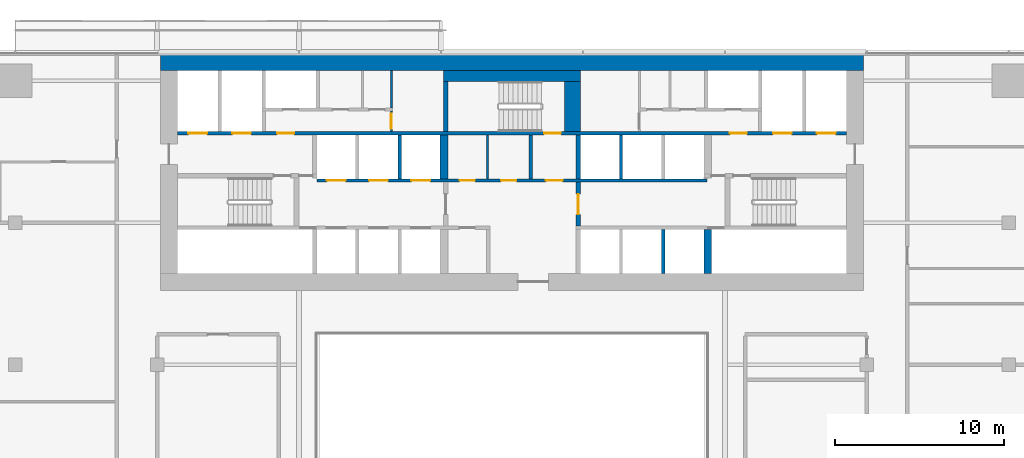
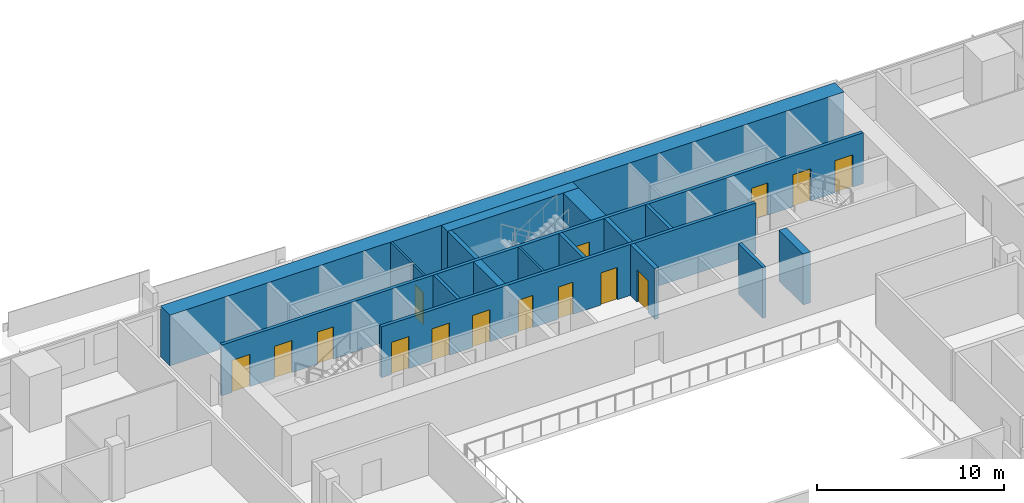
# One storey, part 21 of 27: 17 walls, 15 doors, 15 openings.
"""IFC4 building model written with IfcOpenShell, lengths in metres."""

from ifc_helpers import new_model, si_unit, direction, frame, frame_2d, origin, place, context, subcontext, project, spatial, rectangle, extrude, material, layer, layer_set, type_object, element, fill, save


model = new_model("IFC4")

# Units and contexts
model_context = context("Model", 3, precision=1e-05, world=origin(), true_north=direction((0.0, 1.0)))
body_context = subcontext(model_context, "Body", "Model", "MODEL_VIEW")
ifc_project = project(units=[si_unit("LENGTHUNIT", "METRE"), si_unit("AREAUNIT", "SQUARE_METRE"), si_unit("VOLUMEUNIT", "CUBIC_METRE"), si_unit("PLANEANGLEUNIT", "RADIAN"), si_unit("MASSUNIT", "GRAM", prefix="KILO")], contexts=[model_context])

# Site, building, storey
site_placement = place(None, origin())
site = spatial("IfcSite", under=ifc_project, at=site_placement, CompositionType="ELEMENT")
building_placement = place(site_placement, origin())
building = spatial("IfcBuilding", under=site, at=building_placement, Name="Saffron Gate Tower", CompositionType="ELEMENT")
storey_placement = place(building_placement, frame((0.0, 0.0, 124.050048828125)))
storey = spatial("IfcBuildingStorey", under=building, at=storey_placement, Name="L29", CompositionType="ELEMENT", Elevation=124.050048828125)

# Walls
ifc_material_1 = material(Name="Gypsum board partition on steel studs", Category="steel")
ifc_layer_1 = layer(ifc_material_1, 0.199951171875)
ifc_layer_set_1 = layer_set([ifc_layer_1], Name="CW10 Core partition 200")
wall_type_1 = type_object("IfcWallType", Name="CW10 Core partition 200", PredefinedType="PARTITIONING", material=ifc_layer_set_1)
wall_1_placement = place(storey_placement, frame((88.699951171875, 68.0, 0.0), z_axis=(0.0, 0.0, 1.0), x_axis=(0.0, 1.0, 0.0)))
element("IfcWall", 1, at=wall_1_placement, inside=storey, type_object=wall_type_1, Name="Wall CW10-L29-25", PredefinedType="PARTITIONING", context=body_context, shape_type="SweptSolid", body=[
    extrude(rectangle(XDim=2.60009765625, YDim=0.199951171875, at=frame_2d((1.300048828125, 0.0))), origin(), (0.0, 0.0, 1.0), 3.320068359375),
])
ifc_material_2 = material(Name="Concrete C70", Category="concrete")
ifc_layer_2 = layer(ifc_material_2, 1.0)
ifc_layer_set_2 = layer_set([ifc_layer_2], Name="CW12 RC core wall 1000 C70")
wall_type_2 = type_object("IfcWallType", Name="CW12 RC core wall 1000 C70", PredefinedType="SOLIDWALL", material=ifc_layer_set_2)
wall_2_placement = place(storey_placement, frame((66.800048828125, 74.89990234375, 0.0), z_axis=(0.0, 0.0, 1.0), x_axis=(1.0, 0.0, 0.0)))
element("IfcWall", 2, at=wall_2_placement, inside=storey, type_object=wall_type_2, Name="Wall CW12-L29-2", PredefinedType="SOLIDWALL", context=body_context, shape_type="SweptSolid", body=[
    extrude(rectangle(XDim=41.599853515625, YDim=1.0, at=frame_2d((20.7998046875, 0.0))), origin(), (0.0, 0.0, 1.0), 3.320068359375),
])

# Wall, opening, door
ifc_layer_3 = layer(ifc_material_2, 0.25)
ifc_layer_set_3 = layer_set([ifc_layer_3], Name="CW2 RC core wall 250 C70")
wall_type_3 = type_object("IfcWallType", Name="CW2 RC core wall 250 C70", PredefinedType="SOLIDWALL", material=ifc_layer_set_3)
wall_3_placement = place(storey_placement, frame((91.52490234375, 65.199951171875, 0.0), z_axis=(0.0, 0.0, 1.0), x_axis=(0.0, 1.0, 0.0)))
wall_3 = element("IfcWall", 3, at=wall_3_placement, inside=storey, type_object=wall_type_3, Name="Wall CW2-L29-18", PredefinedType="SOLIDWALL", context=body_context, shape_type="SweptSolid", body=[
    extrude(rectangle(XDim=2.60009765625, YDim=0.25, at=frame_2d((1.300048828125, 0.0))), origin(), (0.0, 0.0, 1.0), 3.320068359375),
])
opening_1_placement = place(wall_3_placement, frame((0.699951171875, 0.0, 0.0)))
opening_1 = element("IfcOpeningElement", 4, at=opening_1_placement, cuts=wall_3, Name="Opening CR-01", PredefinedType="OPENING", context=body_context, shape_type="SweptSolid", body=[
    extrude(rectangle(XDim=1.199951171875, YDim=2.10009765625, at=frame_2d((0.60009765625, 1.050048828125))), frame((0.0, 0.135009765625, 0.0), z_axis=(0.0, -1.0, 0.0), x_axis=(1.0, 0.0, 0.0)), (0.0, 0.0, 1.0), 0.27001953125),
])
ifc_material_3 = material(Name="Steel fire door set", Category="steel")
door_type_1 = type_object("IfcDoorType", Name="CD3 Lobby door 1200x2100 EI 120", OperationType="NOTDEFINED", PredefinedType="DOOR", material=ifc_material_3)
door_1_placement = place(opening_1_placement, origin())
door_1 = element("IfcDoor", 5, at=door_1_placement, inside=storey, type_object=door_type_1, Name="DOOR CR-01", OperationType="SINGLE_SWING_RIGHT", OverallHeight=2.10009765625, OverallWidth=1.199951171875, PredefinedType="DOOR", context=body_context, shape_type="SweptSolid", body=[
    extrude(rectangle(XDim=1.199951171875, YDim=2.10009765625, at=frame_2d((0.60009765625, 1.050048828125))), frame((0.0, 0.02490234375, 0.0), z_axis=(0.0, -1.0, 0.0), x_axis=(1.0, 0.0, 0.0)), (0.0, 0.0, 1.0), 0.050048828125),
])
fill(opening_1, door_1)

# Walls
wall_4_placement = place(storey_placement, frame((91.52490234375, 68.0, 0.0), z_axis=(0.0, 0.0, 1.0), x_axis=(0.0, 1.0, 0.0)))
element("IfcWall", 6, at=wall_4_placement, inside=storey, type_object=wall_type_3, Name="Wall CW2-L29-26", PredefinedType="SOLIDWALL", context=body_context, shape_type="SweptSolid", body=[
    extrude(rectangle(XDim=2.60009765625, YDim=0.25, at=frame_2d((1.300048828125, 0.0))), origin(), (0.0, 0.0, 1.0), 3.320068359375),
])
wall_5_placement = place(storey_placement, frame((83.675048828125, 70.800048828125, 0.0), z_axis=(0.0, 0.0, 1.0), x_axis=(0.0, 1.0, 0.0)))
element("IfcWall", 7, at=wall_5_placement, inside=storey, type_object=wall_type_3, Name="Wall CW2-L29-38", PredefinedType="SOLIDWALL", context=body_context, shape_type="SweptSolid", body=[
    extrude(rectangle(XDim=2.949951171875, YDim=0.25, at=frame_2d((1.47509765625, 0.0))), origin(), (0.0, 0.0, 1.0), 3.320068359375),
])
ifc_layer_4 = layer(ifc_material_2, 0.199951171875)
ifc_layer_set_4 = layer_set([ifc_layer_4], Name="CW3 RC core wall 200 C70")
wall_type_4 = type_object("IfcWallType", Name="CW3 RC core wall 200 C70", PredefinedType="SOLIDWALL", material=ifc_layer_set_4)
wall_6_placement = place(storey_placement, frame((96.550048828125, 62.39990234375, 0.0), z_axis=(0.0, 0.0, 1.0), x_axis=(0.0, 1.0, 0.0)))
element("IfcWall", 8, at=wall_6_placement, inside=storey, type_object=wall_type_4, Name="Wall CW3-L29-12", PredefinedType="SOLIDWALL", context=body_context, shape_type="SweptSolid", body=[
    extrude(rectangle(XDim=2.60009765625, YDim=0.199951171875, at=frame_2d((1.300048828125, 0.0))), origin(), (0.0, 0.0, 1.0), 3.320068359375),
])

# Wall, openings, doors
wall_7_placement = place(storey_placement, frame((76.050048828125, 67.89990234375, 0.0), z_axis=(0.0, 0.0, 1.0), x_axis=(1.0, 0.0, 0.0)))
wall_7 = element("IfcWall", 9, at=wall_7_placement, inside=storey, type_object=wall_type_4, Name="Wall CW3-L29-20", PredefinedType="SOLIDWALL", context=body_context, shape_type="SweptSolid", body=[
    extrude(rectangle(XDim=23.099853515625, YDim=0.199951171875, at=frame_2d((11.5498046875, 0.0))), origin(), (0.0, 0.0, 1.0), 3.320068359375),
])
opening_2_placement = place(wall_7_placement, frame((0.60009765625, 0.0, 0.0)))
opening_2 = element("IfcOpeningElement", 10, at=opening_2_placement, cuts=wall_7, Name="Opening LD-LR4", PredefinedType="OPENING", context=body_context, shape_type="SweptSolid", body=[
    extrude(rectangle(XDim=1.10009765625, YDim=2.10009765625, at=frame_2d((0.550048828125, 1.050048828125))), frame((0.0, 0.10986328125, 0.0), z_axis=(0.0, -1.0, 0.0), x_axis=(1.0, 0.0, 0.0)), (0.0, 0.0, 1.0), 0.219970703125),
])
opening_3_placement = place(wall_7_placement, frame((3.10009765625, 0.0, 0.0)))
opening_3 = element("IfcOpeningElement", 11, at=opening_3_placement, cuts=wall_7, Name="Opening LD-LR5", PredefinedType="OPENING", context=body_context, shape_type="SweptSolid", body=[
    extrude(rectangle(XDim=1.10009765625, YDim=2.10009765625, at=frame_2d((0.550048828125, 1.050048828125))), frame((0.0, 0.10986328125, 0.0), z_axis=(0.0, -1.0, 0.0), x_axis=(1.0, 0.0, 0.0)), (0.0, 0.0, 1.0), 0.219970703125),
])
opening_4_placement = place(wall_7_placement, frame((5.60009765625, 0.0, 0.0)))
opening_4 = element("IfcOpeningElement", 12, at=opening_4_placement, cuts=wall_7, Name="Opening LD-LR6", PredefinedType="OPENING", context=body_context, shape_type="SweptSolid", body=[
    extrude(rectangle(XDim=1.10009765625, YDim=2.10009765625, at=frame_2d((0.550048828125, 1.050048828125))), frame((0.0, 0.10986328125, 0.0), z_axis=(0.0, -1.0, 0.0), x_axis=(1.0, 0.0, 0.0)), (0.0, 0.0, 1.0), 0.219970703125),
])
opening_5_placement = place(wall_7_placement, frame((8.449951171875, 0.0, 0.0)))
opening_5 = element("IfcOpeningElement", 13, at=opening_5_placement, cuts=wall_7, Name="Opening CR-67", PredefinedType="OPENING", context=body_context, shape_type="SweptSolid", body=[
    extrude(rectangle(XDim=0.89990234375, YDim=2.10009765625, at=frame_2d((0.449951171875, 1.050048828125))), frame((0.0, 0.10986328125, 0.0), z_axis=(0.0, -1.0, 0.0), x_axis=(1.0, 0.0, 0.0)), (0.0, 0.0, 1.0), 0.219970703125),
])
opening_6_placement = place(wall_7_placement, frame((10.909912109375, 0.0, 0.0)))
opening_6 = element("IfcOpeningElement", 14, at=opening_6_placement, cuts=wall_7, Name="Opening CR-68", PredefinedType="OPENING", context=body_context, shape_type="SweptSolid", body=[
    extrude(rectangle(XDim=0.89990234375, YDim=2.10009765625, at=frame_2d((0.449951171875, 1.050048828125))), frame((0.0, 0.10986328125, 0.0), z_axis=(0.0, -1.0, 0.0), x_axis=(1.0, 0.0, 0.0)), (0.0, 0.0, 1.0), 0.219970703125),
])
opening_7_placement = place(wall_7_placement, frame((13.550048828125, 0.0, 0.0)))
opening_7 = element("IfcOpeningElement", 15, at=opening_7_placement, cuts=wall_7, Name="Opening CR-02", PredefinedType="OPENING", context=body_context, shape_type="SweptSolid", body=[
    extrude(rectangle(XDim=1.0, YDim=2.10009765625, at=frame_2d((0.5, 1.050048828125))), frame((0.0, 0.10986328125, 0.0), z_axis=(0.0, -1.0, 0.0), x_axis=(1.0, 0.0, 0.0)), (0.0, 0.0, 1.0), 0.219970703125),
])
door_type_2 = type_object("IfcDoorType", Name="CD4 Lobby door 1000x2100 EI 120", OperationType="NOTDEFINED", PredefinedType="DOOR", material=ifc_material_3)
door_2_placement = place(opening_7_placement, origin())
door_2 = element("IfcDoor", 16, at=door_2_placement, inside=storey, type_object=door_type_2, Name="DOOR CR-02", OperationType="SINGLE_SWING_LEFT", OverallHeight=2.10009765625, OverallWidth=1.0, PredefinedType="DOOR", context=body_context, shape_type="SweptSolid", body=[
    extrude(rectangle(XDim=1.0, YDim=2.10009765625, at=frame_2d((0.5, 1.050048828125))), frame((0.0, 0.02490234375, 0.0), z_axis=(0.0, -1.0, 0.0), x_axis=(1.0, 0.0, 0.0)), (0.0, 0.0, 1.0), 0.050048828125),
])
fill(opening_7, door_2)
door_type_3 = type_object("IfcDoorType", Name="CD9 Room door 900x2100 EI 60", OperationType="NOTDEFINED", PredefinedType="DOOR", material=ifc_material_3)
door_3_placement = place(opening_5_placement, origin())
door_3 = element("IfcDoor", 17, at=door_3_placement, inside=storey, type_object=door_type_3, Name="DOOR CR-67", OperationType="SINGLE_SWING_LEFT", OverallHeight=2.10009765625, OverallWidth=0.89990234375, PredefinedType="DOOR", context=body_context, shape_type="SweptSolid", body=[
    extrude(rectangle(XDim=0.89990234375, YDim=2.10009765625, at=frame_2d((0.449951171875, 1.050048828125))), frame((0.0, 0.02490234375, 0.0), z_axis=(0.0, -1.0, 0.0), x_axis=(1.0, 0.0, 0.0)), (0.0, 0.0, 1.0), 0.050048828125),
])
fill(opening_5, door_3)
door_4_placement = place(opening_6_placement, origin())
door_4 = element("IfcDoor", 18, at=door_4_placement, inside=storey, type_object=door_type_3, Name="DOOR CR-68", OperationType="SINGLE_SWING_LEFT", OverallHeight=2.10009765625, OverallWidth=0.89990234375, PredefinedType="DOOR", context=body_context, shape_type="SweptSolid", body=[
    extrude(rectangle(XDim=0.89990234375, YDim=2.10009765625, at=frame_2d((0.449951171875, 1.050048828125))), frame((0.0, 0.02490234375, 0.0), z_axis=(0.0, -1.0, 0.0), x_axis=(1.0, 0.0, 0.0)), (0.0, 0.0, 1.0), 0.050048828125),
])
fill(opening_6, door_4)
ifc_material_4 = material(Name="Stainless steel landing door", Category="steel")
door_type_4 = type_object("IfcDoorType", Name="LD Lift landing door 1100x2100 EI 120", OperationType="SLIDING_TO_LEFT", PredefinedType="DOOR", material=ifc_material_4)
door_5_placement = place(opening_2_placement, origin())
door_5 = element("IfcDoor", 19, at=door_5_placement, inside=storey, type_object=door_type_4, Name="LANDING DOOR LD-LR4", OperationType="SLIDING_TO_RIGHT", OverallHeight=2.10009765625, OverallWidth=1.10009765625, PredefinedType="DOOR", context=body_context, shape_type="SweptSolid", body=[
    extrude(rectangle(XDim=1.10009765625, YDim=2.10009765625, at=frame_2d((0.550048828125, 1.050048828125))), frame((0.0, 0.02490234375, 0.0), z_axis=(0.0, -1.0, 0.0), x_axis=(1.0, 0.0, 0.0)), (0.0, 0.0, 1.0), 0.050048828125),
])
fill(opening_2, door_5)
door_6_placement = place(opening_3_placement, origin())
door_6 = element("IfcDoor", 20, at=door_6_placement, inside=storey, type_object=door_type_4, Name="LANDING DOOR LD-LR5", OperationType="SLIDING_TO_RIGHT", OverallHeight=2.10009765625, OverallWidth=1.10009765625, PredefinedType="DOOR", context=body_context, shape_type="SweptSolid", body=[
    extrude(rectangle(XDim=1.10009765625, YDim=2.10009765625, at=frame_2d((0.550048828125, 1.050048828125))), frame((0.0, 0.02490234375, 0.0), z_axis=(0.0, -1.0, 0.0), x_axis=(1.0, 0.0, 0.0)), (0.0, 0.0, 1.0), 0.050048828125),
])
fill(opening_3, door_6)
door_7_placement = place(opening_4_placement, origin())
door_7 = element("IfcDoor", 21, at=door_7_placement, inside=storey, type_object=door_type_4, Name="LANDING DOOR LD-LR6", OperationType="SLIDING_TO_RIGHT", OverallHeight=2.10009765625, OverallWidth=1.10009765625, PredefinedType="DOOR", context=body_context, shape_type="SweptSolid", body=[
    extrude(rectangle(XDim=1.10009765625, YDim=2.10009765625, at=frame_2d((0.550048828125, 1.050048828125))), frame((0.0, 0.02490234375, 0.0), z_axis=(0.0, -1.0, 0.0), x_axis=(1.0, 0.0, 0.0)), (0.0, 0.0, 1.0), 0.050048828125),
])
fill(opening_4, door_7)

# Walls
for number, where, z_axis, x_axis, name in (
    (22, (80.949951171875, 68.0, 0.0), (0.0, 0.0, 1.0), (0.0, 1.0, 0.0), "Wall CW3-L29-22"),
    (23, (94.050048828125, 68.0, 0.0), (0.0, 0.0, 1.0), (0.0, 1.0, 0.0), "Wall CW3-L29-27"),
):
    element("IfcWall", number, at=place(storey_placement, frame(where, z_axis=z_axis, x_axis=x_axis)), inside=storey, type_object=wall_type_4, Name=name, PredefinedType="SOLIDWALL", context=body_context, shape_type="SweptSolid", body=[
        extrude(rectangle(XDim=2.60009765625, YDim=0.199951171875, at=frame_2d((1.300048828125, 0.0))), origin(), (0.0, 0.0, 1.0), 3.320068359375),
    ])

# Wall, openings, doors
wall_8_placement = place(storey_placement, frame((67.800048828125, 70.699951171875, 0.0), z_axis=(0.0, 0.0, 1.0), x_axis=(1.0, 0.0, 0.0)))
wall_8 = element("IfcWall", 24, at=wall_8_placement, inside=storey, type_object=wall_type_4, Name="Wall CW3-L29-34", PredefinedType="SOLIDWALL", context=body_context, shape_type="SweptSolid", body=[
    extrude(rectangle(XDim=39.599853515625, YDim=0.199951171875, at=frame_2d((19.7998046875, 0.0))), origin(), (0.0, 0.0, 1.0), 3.320068359375),
])
opening_8_placement = place(wall_8_placement, frame((0.64990234375, 0.0, 0.0)))
opening_8 = element("IfcOpeningElement", 25, at=opening_8_placement, cuts=wall_8, Name="Opening LD-FF1", PredefinedType="OPENING", context=body_context, shape_type="SweptSolid", body=[
    extrude(rectangle(XDim=1.10009765625, YDim=2.10009765625, at=frame_2d((0.550048828125, 1.050048828125))), frame((0.0, 0.10986328125, 0.0), z_axis=(0.0, -1.0, 0.0), x_axis=(1.0, 0.0, 0.0)), (0.0, 0.0, 1.0), 0.219970703125),
])
opening_9_placement = place(wall_8_placement, frame((3.25, 0.0, 0.0)))
opening_9 = element("IfcOpeningElement", 26, at=opening_9_placement, cuts=wall_8, Name="Opening LD-SV1", PredefinedType="OPENING", context=body_context, shape_type="SweptSolid", body=[
    extrude(rectangle(XDim=1.10009765625, YDim=2.10009765625, at=frame_2d((0.550048828125, 1.050048828125))), frame((0.0, 0.10986328125, 0.0), z_axis=(0.0, -1.0, 0.0), x_axis=(1.0, 0.0, 0.0)), (0.0, 0.0, 1.0), 0.219970703125),
])
opening_10_placement = place(wall_8_placement, frame((5.89990234375, 0.0, 0.0)))
opening_10 = element("IfcOpeningElement", 27, at=opening_10_placement, cuts=wall_8, Name="Opening CR-03", PredefinedType="OPENING", context=body_context, shape_type="SweptSolid", body=[
    extrude(rectangle(XDim=1.0, YDim=2.10009765625, at=frame_2d((0.5, 1.050048828125))), frame((0.0, 0.10986328125, 0.0), z_axis=(0.0, -1.0, 0.0), x_axis=(1.0, 0.0, 0.0)), (0.0, 0.0, 1.0), 0.219970703125),
])
opening_11_placement = place(wall_8_placement, frame((21.699951171875, 0.0, 0.0)))
opening_11 = element("IfcOpeningElement", 28, at=opening_11_placement, cuts=wall_8, Name="Opening CR-17", PredefinedType="OPENING", context=body_context, shape_type="SweptSolid", body=[
    extrude(rectangle(XDim=1.0, YDim=2.10009765625, at=frame_2d((0.5, 1.050048828125))), frame((0.0, 0.10986328125, 0.0), z_axis=(0.0, -1.0, 0.0), x_axis=(1.0, 0.0, 0.0)), (0.0, 0.0, 1.0), 0.219970703125),
])
opening_12_placement = place(wall_8_placement, frame((32.699951171875, 0.0, 0.0)))
opening_12 = element("IfcOpeningElement", 29, at=opening_12_placement, cuts=wall_8, Name="Opening CR-04", PredefinedType="OPENING", context=body_context, shape_type="SweptSolid", body=[
    extrude(rectangle(XDim=1.0, YDim=2.10009765625, at=frame_2d((0.5, 1.050048828125))), frame((0.0, 0.10986328125, 0.0), z_axis=(0.0, -1.0, 0.0), x_axis=(1.0, 0.0, 0.0)), (0.0, 0.0, 1.0), 0.219970703125),
])
opening_13_placement = place(wall_8_placement, frame((35.25, 0.0, 0.0)))
opening_13 = element("IfcOpeningElement", 30, at=opening_13_placement, cuts=wall_8, Name="Opening LD-SV2", PredefinedType="OPENING", context=body_context, shape_type="SweptSolid", body=[
    extrude(rectangle(XDim=1.10009765625, YDim=2.10009765625, at=frame_2d((0.550048828125, 1.050048828125))), frame((0.0, 0.10986328125, 0.0), z_axis=(0.0, -1.0, 0.0), x_axis=(1.0, 0.0, 0.0)), (0.0, 0.0, 1.0), 0.219970703125),
])
opening_14_placement = place(wall_8_placement, frame((37.85009765625, 0.0, 0.0)))
opening_14 = element("IfcOpeningElement", 31, at=opening_14_placement, cuts=wall_8, Name="Opening LD-FF2", PredefinedType="OPENING", context=body_context, shape_type="SweptSolid", body=[
    extrude(rectangle(XDim=1.10009765625, YDim=2.10009765625, at=frame_2d((0.550048828125, 1.050048828125))), frame((0.0, 0.10986328125, 0.0), z_axis=(0.0, -1.0, 0.0), x_axis=(1.0, 0.0, 0.0)), (0.0, 0.0, 1.0), 0.219970703125),
])
door_8_placement = place(opening_10_placement, origin())
door_8 = element("IfcDoor", 32, at=door_8_placement, inside=storey, type_object=door_type_2, Name="DOOR CR-03", OperationType="SINGLE_SWING_LEFT", OverallHeight=2.10009765625, OverallWidth=1.0, PredefinedType="DOOR", context=body_context, shape_type="SweptSolid", body=[
    extrude(rectangle(XDim=1.0, YDim=2.10009765625, at=frame_2d((0.5, 1.050048828125))), frame((0.0, 0.02490234375, 0.0), z_axis=(0.0, -1.0, 0.0), x_axis=(1.0, 0.0, 0.0)), (0.0, 0.0, 1.0), 0.050048828125),
])
fill(opening_10, door_8)
door_9_placement = place(opening_12_placement, origin())
door_9 = element("IfcDoor", 33, at=door_9_placement, inside=storey, type_object=door_type_2, Name="DOOR CR-04", OperationType="SINGLE_SWING_RIGHT", OverallHeight=2.10009765625, OverallWidth=1.0, PredefinedType="DOOR", context=body_context, shape_type="SweptSolid", body=[
    extrude(rectangle(XDim=1.0, YDim=2.10009765625, at=frame_2d((0.5, 1.050048828125))), frame((0.0, 0.02490234375, 0.0), z_axis=(0.0, -1.0, 0.0), x_axis=(1.0, 0.0, 0.0)), (0.0, 0.0, 1.0), 0.050048828125),
])
fill(opening_12, door_9)
door_type_5 = type_object("IfcDoorType", Name="CD5 Stair door 1000x2100 EI 120", OperationType="NOTDEFINED", PredefinedType="DOOR", material=ifc_material_3)
door_10_placement = place(opening_11_placement, origin())
door_10 = element("IfcDoor", 34, at=door_10_placement, inside=storey, type_object=door_type_5, Name="DOOR CR-17", OperationType="SINGLE_SWING_RIGHT", OverallHeight=2.10009765625, OverallWidth=1.0, PredefinedType="DOOR", context=body_context, shape_type="SweptSolid", body=[
    extrude(rectangle(XDim=1.0, YDim=2.10009765625, at=frame_2d((0.5, 1.050048828125))), frame((0.0, 0.02490234375, 0.0), z_axis=(0.0, -1.0, 0.0), x_axis=(1.0, 0.0, 0.0)), (0.0, 0.0, 1.0), 0.050048828125),
])
fill(opening_11, door_10)
door_11_placement = place(opening_8_placement, origin())
door_11 = element("IfcDoor", 35, at=door_11_placement, inside=storey, type_object=door_type_4, Name="LANDING DOOR LD-FF1", OperationType="SLIDING_TO_RIGHT", OverallHeight=2.10009765625, OverallWidth=1.10009765625, PredefinedType="DOOR", context=body_context, shape_type="SweptSolid", body=[
    extrude(rectangle(XDim=1.10009765625, YDim=2.10009765625, at=frame_2d((0.550048828125, 1.050048828125))), frame((0.0, 0.02490234375, 0.0), z_axis=(0.0, -1.0, 0.0), x_axis=(1.0, 0.0, 0.0)), (0.0, 0.0, 1.0), 0.050048828125),
])
fill(opening_8, door_11)
door_12_placement = place(opening_9_placement, origin())
door_12 = element("IfcDoor", 36, at=door_12_placement, inside=storey, type_object=door_type_4, Name="LANDING DOOR LD-SV1", OperationType="SLIDING_TO_RIGHT", OverallHeight=2.10009765625, OverallWidth=1.10009765625, PredefinedType="DOOR", context=body_context, shape_type="SweptSolid", body=[
    extrude(rectangle(XDim=1.10009765625, YDim=2.10009765625, at=frame_2d((0.550048828125, 1.050048828125))), frame((0.0, 0.02490234375, 0.0), z_axis=(0.0, -1.0, 0.0), x_axis=(1.0, 0.0, 0.0)), (0.0, 0.0, 1.0), 0.050048828125),
])
fill(opening_9, door_12)
door_13_placement = place(opening_13_placement, origin())
door_13 = element("IfcDoor", 37, at=door_13_placement, inside=storey, type_object=door_type_4, Name="LANDING DOOR LD-SV2", OperationType="SLIDING_TO_RIGHT", OverallHeight=2.10009765625, OverallWidth=1.10009765625, PredefinedType="DOOR", context=body_context, shape_type="SweptSolid", body=[
    extrude(rectangle(XDim=1.10009765625, YDim=2.10009765625, at=frame_2d((0.550048828125, 1.050048828125))), frame((0.0, 0.02490234375, 0.0), z_axis=(0.0, -1.0, 0.0), x_axis=(1.0, 0.0, 0.0)), (0.0, 0.0, 1.0), 0.050048828125),
])
fill(opening_13, door_13)
door_14_placement = place(opening_14_placement, origin())
door_14 = element("IfcDoor", 38, at=door_14_placement, inside=storey, type_object=door_type_4, Name="LANDING DOOR LD-FF2", OperationType="SLIDING_TO_RIGHT", OverallHeight=2.10009765625, OverallWidth=1.10009765625, PredefinedType="DOOR", context=body_context, shape_type="SweptSolid", body=[
    extrude(rectangle(XDim=1.10009765625, YDim=2.10009765625, at=frame_2d((0.550048828125, 1.050048828125))), frame((0.0, 0.02490234375, 0.0), z_axis=(0.0, -1.0, 0.0), x_axis=(1.0, 0.0, 0.0)), (0.0, 0.0, 1.0), 0.050048828125),
])
fill(opening_14, door_14)

# Walls
ifc_layer_5 = layer(ifc_material_2, 0.449951171875)
ifc_layer_set_5 = layer_set([ifc_layer_5], Name="CW4 RC core wall 450 C70")
wall_type_5 = type_object("IfcWallType", Name="CW4 RC core wall 450 C70", PredefinedType="SOLIDWALL", material=ifc_layer_set_5)
for number, where, z_axis, x_axis, name in (
    (39, (99.175048828125, 62.39990234375, 0.0), (0.0, 0.0, 1.0), (0.0, 1.0, 0.0), "Wall CW4-L29-13"),
    (40, (83.574951171875, 68.0, 0.0), (0.0, 0.0, 1.0), (0.0, 1.0, 0.0), "Wall CW4-L29-23"),
):
    element("IfcWall", number, at=place(storey_placement, frame(where, z_axis=z_axis, x_axis=x_axis)), inside=storey, type_object=wall_type_5, Name=name, PredefinedType="SOLIDWALL", context=body_context, shape_type="SweptSolid", body=[
        extrude(rectangle(XDim=2.60009765625, YDim=0.449951171875, at=frame_2d((1.300048828125, 0.0))), origin(), (0.0, 0.0, 1.0), 3.320068359375),
    ])
ifc_layer_6 = layer(ifc_material_2, 0.949951171875)
ifc_layer_set_6 = layer_set([ifc_layer_6], Name="CW7 RC core wall 950 C70")
wall_type_6 = type_object("IfcWallType", Name="CW7 RC core wall 950 C70", PredefinedType="SOLIDWALL", material=ifc_layer_set_6)
wall_9_placement = place(storey_placement, frame((91.175048828125, 70.800048828125, 0.0), z_axis=(0.0, 0.0, 1.0), x_axis=(0.0, 1.0, 0.0)))
element("IfcWall", 41, at=wall_9_placement, inside=storey, type_object=wall_type_6, Name="Wall CW7-L29-39", PredefinedType="SOLIDWALL", context=body_context, shape_type="SweptSolid", body=[
    extrude(rectangle(XDim=2.949951171875, YDim=0.949951171875, at=frame_2d((1.47509765625, 0.0))), origin(), (0.0, 0.0, 1.0), 3.320068359375),
])
ifc_layer_7 = layer(ifc_material_1, 0.1201171875)
ifc_layer_set_7 = layer_set([ifc_layer_7], Name="CW8 Core partition 120")
wall_type_7 = type_object("IfcWallType", Name="CW8 Core partition 120", PredefinedType="PARTITIONING", material=ifc_layer_set_7)
wall_10_placement = place(storey_placement, frame((86.159912109375, 68.0, 0.0), z_axis=(0.0, 0.0, 1.0), x_axis=(0.0, 1.0, 0.0)))
element("IfcWall", 42, at=wall_10_placement, inside=storey, type_object=wall_type_7, Name="Wall CW8-L29-24", PredefinedType="PARTITIONING", context=body_context, shape_type="SweptSolid", body=[
    extrude(rectangle(XDim=2.60009765625, YDim=0.1201171875, at=frame_2d((1.300048828125, 0.0))), origin(), (0.0, 0.0, 1.0), 3.320068359375),
])

# Wall, opening, door
wall_11_placement = place(storey_placement, frame((80.4599609375, 70.800048828125, 0.0), z_axis=(0.0, 0.0, 1.0), x_axis=(0.0, 1.0, 0.0)))
wall_11 = element("IfcWall", 43, at=wall_11_placement, inside=storey, type_object=wall_type_7, Name="Wall CW8-L29-37", PredefinedType="PARTITIONING", context=body_context, shape_type="SweptSolid", body=[
    extrude(rectangle(XDim=1.199951171875, YDim=0.1201171875, at=frame_2d((0.60009765625, 0.0))), origin(), (0.0, 0.0, 1.0), 3.320068359375),
])
opening_15_placement = place(wall_11_placement, frame((0.14990234375, 0.0, 0.0)))
opening_15 = element("IfcOpeningElement", 44, at=opening_15_placement, cuts=wall_11, Name="Opening CR-60", PredefinedType="OPENING", context=body_context, shape_type="SweptSolid", body=[
    extrude(rectangle(XDim=0.89990234375, YDim=2.10009765625, at=frame_2d((0.449951171875, 1.050048828125))), frame((0.0, 0.070068359375, 0.0), z_axis=(0.0, -1.0, 0.0), x_axis=(1.0, 0.0, 0.0)), (0.0, 0.0, 1.0), 0.14013671875),
])
door_15_placement = place(opening_15_placement, origin())
door_15 = element("IfcDoor", 45, at=door_15_placement, inside=storey, type_object=door_type_3, Name="DOOR CR-60", OperationType="SINGLE_SWING_RIGHT", OverallHeight=2.10009765625, OverallWidth=0.89990234375, PredefinedType="DOOR", context=body_context, shape_type="SweptSolid", body=[
    extrude(rectangle(XDim=0.89990234375, YDim=2.10009765625, at=frame_2d((0.449951171875, 1.050048828125))), frame((0.0, 0.02490234375, 0.0), z_axis=(0.0, -1.0, 0.0), x_axis=(1.0, 0.0, 0.0)), (0.0, 0.0, 1.0), 0.050048828125),
])
fill(opening_15, door_15)

# Walls
wall_12_placement = place(storey_placement, frame((80.4599609375, 72.199951171875, 0.0), z_axis=(0.0, 0.0, 1.0), x_axis=(0.0, 1.0, 0.0)))
element("IfcWall", 46, at=wall_12_placement, inside=storey, type_object=wall_type_7, Name="Wall CW8-L29-48", PredefinedType="PARTITIONING", context=body_context, shape_type="SweptSolid", body=[
    extrude(rectangle(XDim=2.199951171875, YDim=0.1201171875, at=frame_2d((1.10009765625, 0.0))), origin(), (0.0, 0.0, 1.0), 3.320068359375),
])
ifc_layer_8 = layer(ifc_material_2, 0.64990234375)
ifc_layer_set_8 = layer_set([ifc_layer_8], Name="CW9 RC core wall 650 C70")
wall_type_8 = type_object("IfcWallType", Name="CW9 RC core wall 650 C70", PredefinedType="SOLIDWALL", material=ifc_layer_set_8)
wall_13_placement = place(storey_placement, frame((83.550048828125, 74.074951171875, 0.0), z_axis=(0.0, 0.0, 1.0), x_axis=(1.0, 0.0, 0.0)))
element("IfcWall", 47, at=wall_13_placement, inside=storey, type_object=wall_type_8, Name="Wall CW9-L29-53", PredefinedType="SOLIDWALL", context=body_context, shape_type="SweptSolid", body=[
    extrude(rectangle(XDim=8.099853515625, YDim=0.64990234375, at=frame_2d((4.0498046875, 0.0))), origin(), (0.0, 0.0, 1.0), 3.320068359375),
])

save(model, "model.ifc")
